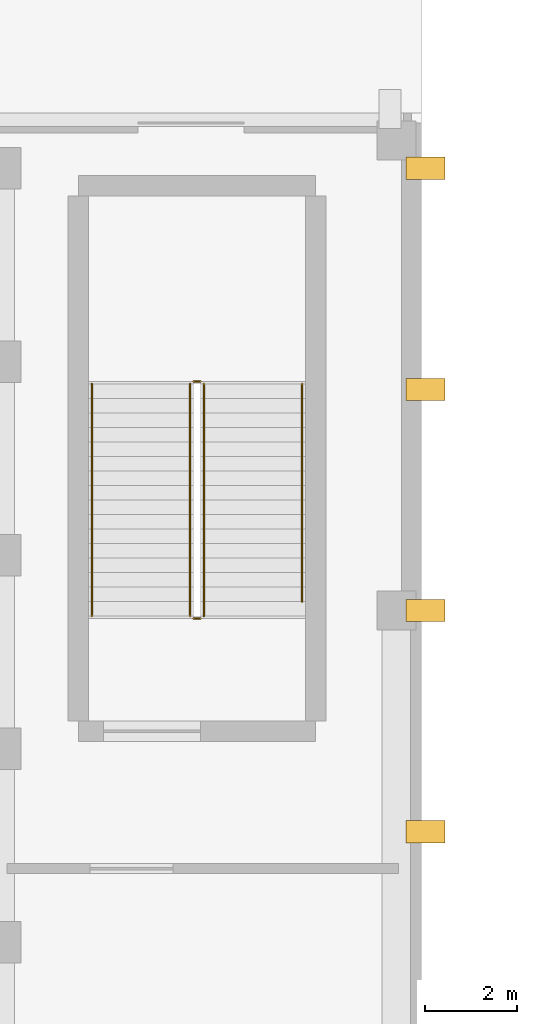
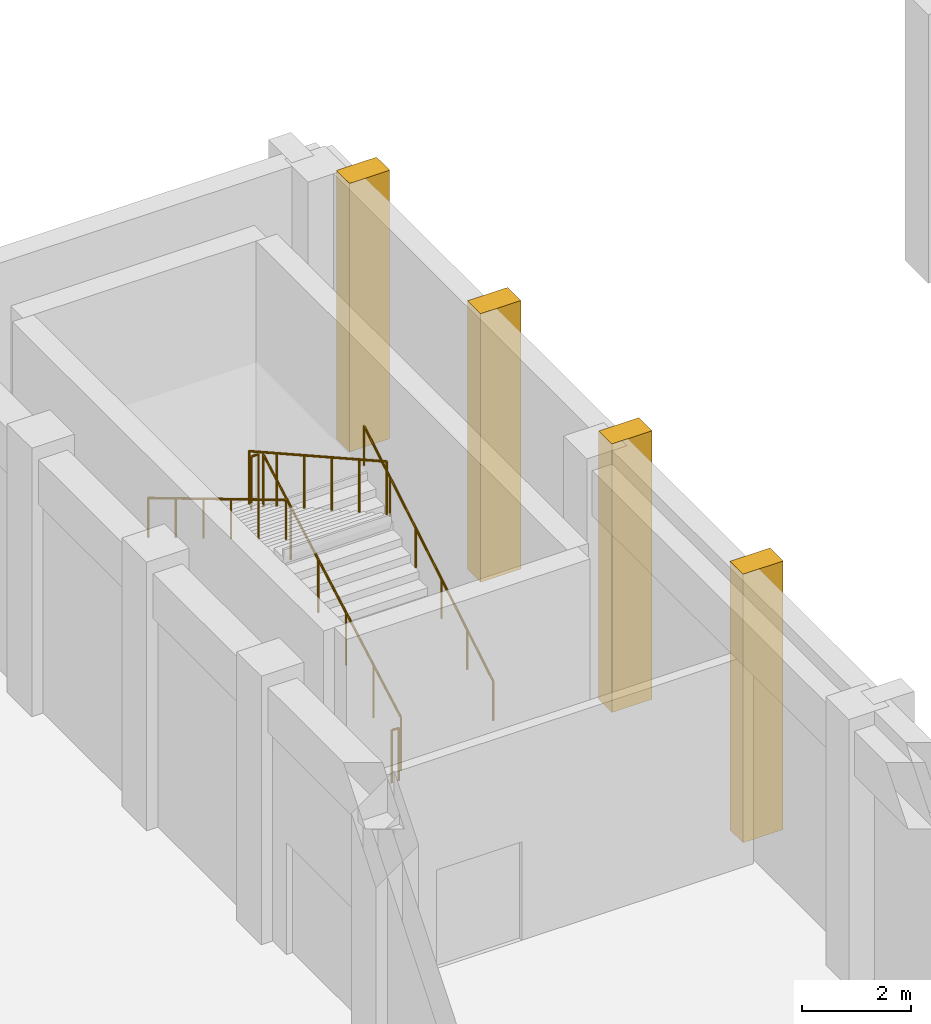
# One storey, part 72 of 87: 6 railings, 4 coverings.
"""IFC4 building model written with IfcOpenShell, lengths in metres."""

from ifc_helpers import new_model, si_unit, direction, frame, origin, origin_2d, place, context, subcontext, project, spatial, rectangle, circle, extrude, material, layer, layer_set, type_object, element, save


model = new_model("IFC4")

# Units and contexts
model_context = context("Model", 3, precision=1e-05, world=origin(), true_north=direction((0.0, 1.0)))
body_context = subcontext(model_context, "Body", "Model", "MODEL_VIEW")
ifc_project = project(units=[si_unit("LENGTHUNIT", "METRE"), si_unit("AREAUNIT", "SQUARE_METRE"), si_unit("VOLUMEUNIT", "CUBIC_METRE"), si_unit("PLANEANGLEUNIT", "RADIAN"), si_unit("MASSUNIT", "GRAM", prefix="KILO")], contexts=[model_context])

# Site, building, storey
site_placement = place(None, origin())
site = spatial("IfcSite", under=ifc_project, at=site_placement, CompositionType="ELEMENT")
building_placement = place(site_placement, origin())
building = spatial("IfcBuilding", under=site, at=building_placement, Name="Nakhvara Creek Congress Hotel", CompositionType="ELEMENT")
storey_placement = place(building_placement, origin())
storey = spatial("IfcBuildingStorey", under=building, at=storey_placement, Name="L00", CompositionType="ELEMENT", Elevation=0.0)

# Coverings
ifc_material_1 = material(Name="Honed pale Omani limestone architectural cladding", Category="masonry")
ifc_layer = layer(ifc_material_1, 0.449951171875)
ifc_layer_set = layer_set([ifc_layer], Name="Honed pale Omani limestone architectural cladding")
covering_type = type_object("IfcCoveringType", Name="COV-BUTT-850", PredefinedType="CLADDING", material=ifc_layer_set)
for number, where, z_axis, x_axis, name in (
    (1, (57.68505859375, 110.39990234375, 0.0), (0.0, 0.0, 1.0), (0.0, 1.0, 0.0), "Gothic Limestone Buttress Pier CF03-0424"),
    (2, (57.68505859375, 115.199951171875, 0.0), (0.0, 0.0, 1.0), (0.0, 1.0, 0.0), "Gothic Limestone Buttress Pier CF03-0426"),
    (3, (57.68505859375, 120.0, 0.0), (0.0, 0.0, 1.0), (0.0, 1.0, 0.0), "Gothic Limestone Buttress Pier CF03-0427"),
    (4, (57.68505859375, 124.800048828125, 0.0), (0.0, 0.0, 1.0), (0.0, 1.0, 0.0), "Gothic Limestone Buttress Pier CF03-0429"),
):
    element("IfcCovering", number, at=place(storey_placement, frame(where, z_axis=z_axis, x_axis=x_axis)), inside=storey, type_object=covering_type, Name=name, PredefinedType="CLADDING", context=body_context, shape_type="SweptSolid", body=[
        extrude(rectangle(XDim=0.47998046875, YDim=0.85009765625, at=origin_2d()), origin(), (0.0, 0.0, 1.0), 6.0),
    ])

# Railings
ifc_material_2 = material(Name="Brushed stainless steel 316L", Category="steel")
railing_type_1 = type_object("IfcRailingType", Name="RL-GUARD-1200", PredefinedType="GUARDRAIL", material=ifc_material_2)
railing_1_placement = place(storey_placement, frame((52.875, 115.080078125, 0.176513671875)))
element("IfcRailing", 5, at=railing_1_placement, inside=storey, type_object=railing_type_1, Name="L00 ST08 stair guard 1", PredefinedType="GUARDRAIL", context=body_context, shape_type="SweptSolid", body=[
    extrude(circle(Radius=0.02392578125, at=origin_2d()), frame((0.0, 0.012939453125, 1.18310546875), z_axis=(0.0, 0.872427454555, 0.488743630688), x_axis=(-1.0, 0.0, 0.0)), (0.0, 0.0, 1.0), 5.74755859375),
    extrude(circle(Radius=0.02099609375, at=origin_2d()), origin(), (0.0, 0.0, 1.0), 1.1806640625),
    extrude(circle(Radius=0.02099609375, at=origin_2d()), frame((0.0, 1.008056640625, 0.564697265625)), (0.0, 0.0, 1.0), 1.1806640625),
    extrude(circle(Radius=0.02099609375, at=origin_2d()), frame((0.0, 2.01611328125, 1.12939453125)), (0.0, 0.0, 1.0), 1.1806640625),
    extrude(circle(Radius=0.02099609375, at=origin_2d()), frame((0.0, 3.02392578125, 1.694091796875)), (0.0, 0.0, 1.0), 1.1806640625),
    extrude(circle(Radius=0.02099609375, at=origin_2d()), frame((0.0, 4.031982421875, 2.2587890625)), (0.0, 0.0, 1.0), 1.1806640625),
    extrude(circle(Radius=0.02099609375, at=origin_2d()), frame((0.0, 5.0400390625, 2.823486328125)), (0.0, 0.0, 1.0), 1.1806640625),
])
railing_2_placement = place(storey_placement, frame((52.800048828125, 120.169921875, 3.0)))
element("IfcRailing", 6, at=railing_2_placement, inside=storey, type_object=railing_type_1, Name="L00 ST08 stair guard 2", PredefinedType="GUARDRAIL", context=body_context, shape_type="SweptSolid", body=[
    extrude(circle(Radius=0.02392578125, at=origin_2d()), frame((-0.0146484375, 0.0, 1.17578125), z_axis=(-1.0, 0.0, 0.0), x_axis=(0.0, -1.0, 0.0)), (0.0, 0.0, 1.0), 0.120849609375),
    extrude(circle(Radius=0.02099609375, at=origin_2d()), origin(), (0.0, 0.0, 1.0), 1.1806640625),
    extrude(circle(Radius=0.02099609375, at=origin_2d()), frame((-0.150146484375, 0.0, 0.0)), (0.0, 0.0, 1.0), 1.1806640625),
])
railing_3_placement = place(storey_placement, frame((52.574951171875, 120.1201171875, 3.176513671875)))
element("IfcRailing", 7, at=railing_3_placement, inside=storey, type_object=railing_type_1, Name="L00 ST08 stair guard 3", PredefinedType="GUARDRAIL", context=body_context, shape_type="SweptSolid", body=[
    extrude(circle(Radius=0.02392578125, at=origin_2d()), frame((0.0, -0.012939453125, 1.18310546875), z_axis=(0.0, -0.872427454555, 0.488743630688), x_axis=(1.0, 0.0, 0.0)), (0.0, 0.0, 1.0), 5.74755859375),
    extrude(circle(Radius=0.02099609375, at=origin_2d()), origin(), (0.0, 0.0, 1.0), 1.1806640625),
    extrude(circle(Radius=0.02099609375, at=origin_2d()), frame((0.0, -1.008056640625, 0.564697265625)), (0.0, 0.0, 1.0), 1.1806640625),
    extrude(circle(Radius=0.02099609375, at=origin_2d()), frame((0.0, -2.01611328125, 1.12939453125)), (0.0, 0.0, 1.0), 1.1806640625),
    extrude(circle(Radius=0.02099609375, at=origin_2d()), frame((0.0, -3.02392578125, 1.694091796875)), (0.0, 0.0, 1.0), 1.1806640625),
    extrude(circle(Radius=0.02099609375, at=origin_2d()), frame((0.0, -4.031982421875, 2.2587890625)), (0.0, 0.0, 1.0), 1.1806640625),
    extrude(circle(Radius=0.02099609375, at=origin_2d()), frame((0.0, -5.0400390625, 2.823486328125)), (0.0, 0.0, 1.0), 1.1806640625),
])
railing_4_placement = place(storey_placement, frame((52.800048828125, 115.030029296875, 0.0)))
element("IfcRailing", 8, at=railing_4_placement, inside=storey, type_object=railing_type_1, Name="L00 ST08 stair guard 4", PredefinedType="GUARDRAIL", context=body_context, shape_type="SweptSolid", body=[
    extrude(circle(Radius=0.02392578125, at=origin_2d()), frame((-0.0146484375, 0.0, 1.17578125), z_axis=(-1.0, 0.0, 0.0), x_axis=(0.0, -1.0, 0.0)), (0.0, 0.0, 1.0), 0.120849609375),
    extrude(circle(Radius=0.02099609375, at=origin_2d()), origin(), (0.0, 0.0, 1.0), 1.1806640625),
    extrude(circle(Radius=0.02099609375, at=origin_2d()), frame((-0.150146484375, 0.0, 0.0)), (0.0, 0.0, 1.0), 1.1806640625),
])
railing_type_2 = type_object("IfcRailingType", Name="RL-HAND-900", PredefinedType="HANDRAIL", material=ifc_material_2)
railing_5_placement = place(storey_placement, frame((55.0048828125, 115.39501953125, 0.35302734375)))
element("IfcRailing", 9, at=railing_5_placement, inside=storey, type_object=railing_type_2, Name="L00 ST08 stair handrail 1", PredefinedType="HANDRAIL", context=body_context, shape_type="SweptSolid", body=[
    extrude(circle(Radius=0.02392578125, at=origin_2d()), frame((0.0, 0.0126953125, 0.88330078125), z_axis=(0.0, 0.857539836654, 0.514417562445), x_axis=(-1.0, 0.0, 0.0)), (0.0, 0.0, 1.0), 5.480712890625),
    extrude(circle(Radius=0.02099609375, at=origin_2d()), origin(), (0.0, 0.0, 1.0), 0.880615234375),
    extrude(circle(Radius=0.02099609375, at=origin_2d()), frame((0.0, 0.945068359375, 0.56689453125)), (0.0, 0.0, 1.0), 0.880615234375),
    extrude(circle(Radius=0.02099609375, at=origin_2d()), frame((0.0, 1.89013671875, 1.1337890625)), (0.0, 0.0, 1.0), 0.880615234375),
    extrude(circle(Radius=0.02099609375, at=origin_2d()), frame((0.0, 2.8349609375, 1.70068359375)), (0.0, 0.0, 1.0), 0.880615234375),
    extrude(circle(Radius=0.02099609375, at=origin_2d()), frame((0.0, 3.780029296875, 2.267578125)), (0.0, 0.0, 1.0), 0.880615234375),
    extrude(circle(Radius=0.02099609375, at=origin_2d()), frame((0.0, 4.72509765625, 2.83447265625)), (0.0, 0.0, 1.0), 0.880615234375),
])
railing_6_placement = place(storey_placement, frame((50.445068359375, 120.1201171875, 3.176513671875)))
element("IfcRailing", 10, at=railing_6_placement, inside=storey, type_object=railing_type_2, Name="L00 ST08 stair handrail 2", PredefinedType="HANDRAIL", context=body_context, shape_type="SweptSolid", body=[
    extrude(circle(Radius=0.02392578125, at=origin_2d()), frame((0.0, -0.0126953125, 0.88330078125), z_axis=(0.0, -0.858471053773, 0.512862018319), x_axis=(1.0, 0.0, 0.0)), (0.0, 0.0, 1.0), 5.841552734375),
    extrude(circle(Radius=0.02099609375, at=origin_2d()), origin(), (0.0, 0.0, 1.0), 0.880615234375),
    extrude(circle(Radius=0.02099609375, at=origin_2d()), frame((0.0, -1.008056640625, 0.602294921875)), (0.0, 0.0, 1.0), 0.880615234375),
    extrude(circle(Radius=0.02099609375, at=origin_2d()), frame((0.0, -2.01611328125, 1.204345703125)), (0.0, 0.0, 1.0), 0.880615234375),
    extrude(circle(Radius=0.02099609375, at=origin_2d()), frame((0.0, -3.02392578125, 1.806640625)), (0.0, 0.0, 1.0), 0.880615234375),
    extrude(circle(Radius=0.02099609375, at=origin_2d()), frame((0.0, -4.031982421875, 2.40869140625)), (0.0, 0.0, 1.0), 0.880615234375),
    extrude(circle(Radius=0.02099609375, at=origin_2d()), frame((0.0, -5.0400390625, 3.010986328125)), (0.0, 0.0, 1.0), 0.880615234375),
])

save(model, "model.ifc")
